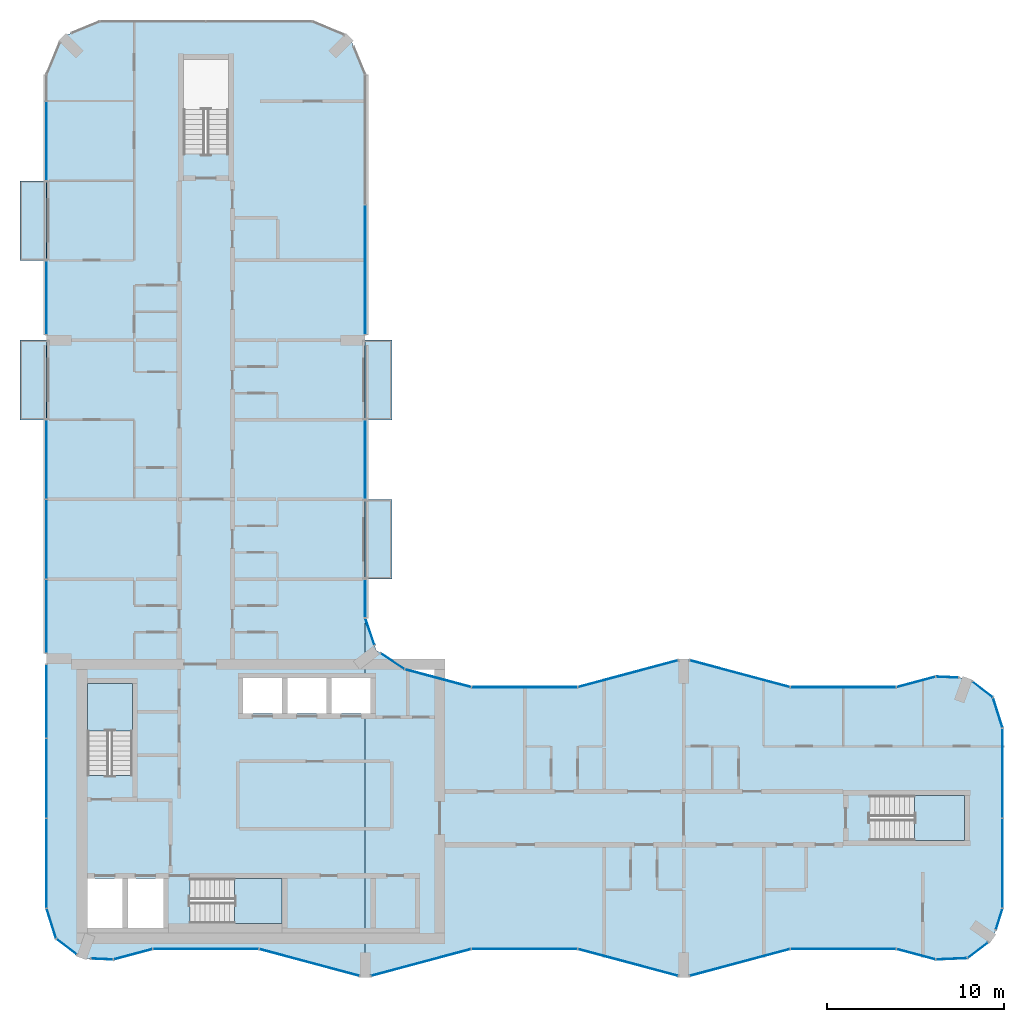
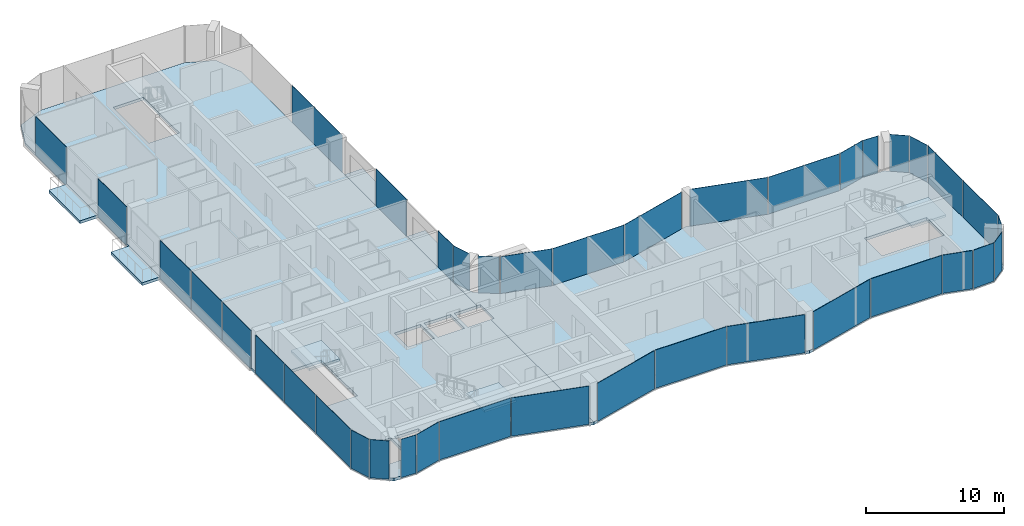
# One storey, part 8 of 15: 39 plates, 9 slabs, 37 elements without a shape of their own.
"""IFC4 building model written with IfcOpenShell, lengths in metres."""

from ifc_helpers import new_model, si_unit, direction, frame, origin, origin_2d, place, context, subcontext, project, spatial, polyline, rectangle, outline, extrude, material, layer, layer_set, type_object, element, aggregate, save


model = new_model("IFC4")

# Units and contexts
model_context = context("Model", 3, precision=1e-05, world=origin(), true_north=direction((0.0, 1.0)))
body_context = subcontext(model_context, "Body", "Model", "MODEL_VIEW")
ifc_project = project(units=[si_unit("LENGTHUNIT", "METRE"), si_unit("AREAUNIT", "SQUARE_METRE"), si_unit("VOLUMEUNIT", "CUBIC_METRE"), si_unit("PLANEANGLEUNIT", "RADIAN"), si_unit("MASSUNIT", "GRAM", prefix="KILO")], contexts=[model_context])

# Site, building, storey
site_placement = place(None, origin())
site = spatial("IfcSite", under=ifc_project, at=site_placement, CompositionType="ELEMENT")
building_placement = place(site_placement, origin())
building = spatial("IfcBuilding", under=site, at=building_placement, Name="Plateau Cross Towers", CompositionType="ELEMENT")
storey_placement = place(building_placement, frame((0.0, 0.0, 174.39990234375)))
storey = spatial("IfcBuildingStorey", under=building, at=storey_placement, Name="L45", CompositionType="ELEMENT", Elevation=174.39990234375)

# Slabs
ifc_material_1 = material(Name="Concrete C40/50", Category="concrete")
ifc_layer_1 = layer(ifc_material_1, 0.25)
ifc_layer_set_1 = layer_set([ifc_layer_1], Name="Concrete C40/50")
slab_type_1 = type_object("IfcSlabType", Name="Balcony slab 250", PredefinedType="FLOOR", material=ifc_layer_set_1)
slab_1_placement = place(storey_placement, frame((0.0, 0.0, -0.25)))
element("IfcSlab", 1, at=slab_1_placement, inside=storey, type_object=slab_type_1, Name="Balcony slab A-BAL-L45-01", PredefinedType="FLOOR", context=body_context, shape_type="SweptSolid", body=[
    extrude(outline(polyline([(0.0, 31.5), (0.0, 36.0), (-1.5, 36.0), (-1.5, 31.5), (0.0, 31.5)])), origin(), (0.0, 0.0, 1.0), 0.25),
])
slab_2_placement = place(storey_placement, frame((0.0, 0.0, -0.25)))
element("IfcSlab", 2, at=slab_2_placement, inside=storey, type_object=slab_type_1, Name="Balcony slab A-BAL-L45-02", PredefinedType="FLOOR", context=body_context, shape_type="SweptSolid", body=[
    extrude(outline(polyline([(0.0, 40.5), (0.0, 45.0), (-1.5, 45.0), (-1.5, 40.5), (0.0, 40.5)])), origin(), (0.0, 0.0, 1.0), 0.25),
])
slab_3_placement = place(storey_placement, frame((0.0, 0.0, -0.25)))
element("IfcSlab", 3, at=slab_3_placement, inside=storey, type_object=slab_type_1, Name="Balcony slab A-BAL-L45-03", PredefinedType="FLOOR", context=body_context, shape_type="SweptSolid", body=[
    extrude(outline(polyline([(19.5, 22.5), (19.5, 27.0), (18.0, 27.0), (18.0, 22.5), (19.5, 22.5)])), origin(), (0.0, 0.0, 1.0), 0.25),
])
slab_4_placement = place(storey_placement, frame((0.0, 0.0, -0.25)))
element("IfcSlab", 4, at=slab_4_placement, inside=storey, type_object=slab_type_1, Name="Balcony slab A-BAL-L45-04", PredefinedType="FLOOR", context=body_context, shape_type="SweptSolid", body=[
    extrude(outline(polyline([(19.5, 31.5), (19.5, 36.0), (18.0, 36.0), (18.0, 31.5), (19.5, 31.5)])), origin(), (0.0, 0.0, 1.0), 0.25),
])

# Curtain wall, plate
ifc_material_2 = material(Name="Dark low-iron glass", Category="glass")
ifc_layer_2 = layer(ifc_material_2, 0.239990234375)
ifc_layer_set_2 = layer_set([ifc_layer_2], Name="Dark low-iron glass")
curtain_wall_type_1 = type_object("IfcCurtainWallType", Name="Curtain wall flush unitised CW-B", PredefinedType="NOTDEFINED", material=ifc_layer_set_2)
curtain_wall_1_placement = place(storey_placement, origin())
curtain_wall_1 = element("IfcCurtainWall", 5, at=curtain_wall_1_placement, inside=storey, type_object=curtain_wall_type_1, Name="ENV/A/L45/A502_10", PredefinedType="NOTDEFINED")
ifc_layer_3 = layer(ifc_material_2, 0.031982421875)
ifc_layer_set_3 = layer_set([ifc_layer_3], Name="Dark low-iron glass")
plate_type_1 = type_object("IfcPlateType", Name="Glass panel 32 flush unitised", PredefinedType="CURTAIN_PANEL", material=ifc_layer_set_3)
plate_1_placement = place(storey_placement, frame((51.125, 1.05078125, -0.1298828125), z_axis=(0.0, 0.0, 1.0), x_axis=(0.999043701491, 0.043722791671, 0.0)))
plate_1 = element("IfcPlate", 6, at=plate_1_placement, type_object=plate_type_1, Name="CW-B panel 1", PredefinedType="CURTAIN_PANEL", context=body_context, shape_type="SweptSolid", body=[
    extrude(rectangle(XDim=1.744140625, YDim=0.031982421875, at=origin_2d()), origin(), (0.0, 0.0, 1.0), 3.3798828125),
])
aggregate(curtain_wall_1, [plate_1])

curtain_wall_2_placement = place(storey_placement, origin())
curtain_wall_2 = element("IfcCurtainWall", 7, at=curtain_wall_2_placement, inside=storey, type_object=curtain_wall_type_1, Name="ENV/A/L45/A520_11", PredefinedType="NOTDEFINED")
plate_2_placement = place(storey_placement, frame((52.60986328125, 1.5380859375, -0.1298828125), z_axis=(0.0, 0.0, 1.0), x_axis=(0.793315514529, 0.608810721331, 0.0)))
plate_2 = element("IfcPlate", 8, at=plate_2_placement, type_object=plate_type_1, Name="CW-B panel 1", PredefinedType="CURTAIN_PANEL", context=body_context, shape_type="SweptSolid", body=[
    extrude(rectangle(XDim=1.41162109375, YDim=0.031982421875, at=origin_2d()), origin(), (0.0, 0.0, 1.0), 3.3798828125),
])
aggregate(curtain_wall_2, [plate_2])

curtain_wall_3_placement = place(storey_placement, origin())
curtain_wall_3 = element("IfcCurtainWall", 9, at=curtain_wall_3_placement, inside=storey, type_object=curtain_wall_type_1, Name="ENV/A/L45/A536_27", PredefinedType="NOTDEFINED")
plate_3_placement = place(storey_placement, frame((53.805419921875, 3.292236328125, -0.1298828125), z_axis=(0.0, 0.0, 1.0), x_axis=(0.300686174994, 0.95372313811, 0.0)))
plate_3 = element("IfcPlate", 10, at=plate_3_placement, type_object=plate_type_1, Name="CW-B panel 1", PredefinedType="CURTAIN_PANEL", context=body_context, shape_type="SweptSolid", body=[
    extrude(rectangle(XDim=1.233642578125, YDim=0.031982421875, at=origin_2d()), origin(), (0.0, 0.0, 1.0), 3.3798828125),
])
aggregate(curtain_wall_3, [plate_3])

# Curtain wall, plates
curtain_wall_4_placement = place(storey_placement, origin())
curtain_wall_4 = element("IfcCurtainWall", 11, at=curtain_wall_4_placement, inside=storey, type_object=curtain_wall_type_1, Name="ENV/A/L45/A540_39", PredefinedType="NOTDEFINED")
plate_4_placement = place(storey_placement, frame((54.0, 6.45458984375, -0.1298828125), z_axis=(0.0, 0.0, 1.0), x_axis=(0.0, 1.0, 0.0)))
plate_4 = element("IfcPlate", 12, at=plate_4_placement, type_object=plate_type_1, Name="CW-B panel 1", PredefinedType="CURTAIN_PANEL", context=body_context, shape_type="SweptSolid", body=[
    extrude(rectangle(XDim=5.03076171875, YDim=0.031982421875, at=origin_2d()), origin(), (0.0, 0.0, 1.0), 3.3798828125),
])
plate_5_placement = place(storey_placement, frame((54.0, 11.54541015625, -0.1298828125), z_axis=(0.0, 0.0, 1.0), x_axis=(0.0, 1.0, 0.0)))
plate_5 = element("IfcPlate", 13, at=plate_5_placement, type_object=plate_type_1, Name="CW-B panel 2", PredefinedType="CURTAIN_PANEL", context=body_context, shape_type="SweptSolid", body=[
    extrude(rectangle(XDim=5.03076171875, YDim=0.031982421875, at=origin_2d()), origin(), (0.0, 0.0, 1.0), 3.3798828125),
])
aggregate(curtain_wall_4, [plate_4, plate_5])

# Curtain wall, plate
curtain_wall_5_placement = place(storey_placement, origin())
curtain_wall_5 = element("IfcCurtainWall", 14, at=curtain_wall_5_placement, inside=storey, type_object=curtain_wall_type_1, Name="ENV/A/L45/A540_141", PredefinedType="NOTDEFINED")
plate_6_placement = place(storey_placement, frame((53.728759765625, 14.951171875, -0.1298828125), z_axis=(0.0, 0.0, 1.0), x_axis=(-0.300686174994, 0.95372313811, 0.0)))
plate_6 = element("IfcPlate", 15, at=plate_6_placement, type_object=plate_type_1, Name="CW-B panel 1", PredefinedType="CURTAIN_PANEL", context=body_context, shape_type="SweptSolid", body=[
    extrude(rectangle(XDim=1.744140625, YDim=0.031982421875, at=origin_2d()), origin(), (0.0, 0.0, 1.0), 3.3798828125),
])
aggregate(curtain_wall_5, [plate_6])

curtain_wall_6_placement = place(storey_placement, origin())
curtain_wall_6 = element("IfcCurtainWall", 16, at=curtain_wall_6_placement, inside=storey, type_object=curtain_wall_type_1, Name="ENV/A/L45/A535_158", PredefinedType="NOTDEFINED")
plate_7_placement = place(storey_placement, frame((52.873779296875, 16.25927734375, -0.1298828125), z_axis=(0.0, 0.0, 1.0), x_axis=(-0.793315514529, 0.608810721331, 0.0)))
plate_7 = element("IfcPlate", 17, at=plate_7_placement, type_object=plate_type_1, Name="CW-B panel 1", PredefinedType="CURTAIN_PANEL", context=body_context, shape_type="SweptSolid", body=[
    extrude(rectangle(XDim=1.41162109375, YDim=0.031982421875, at=origin_2d()), origin(), (0.0, 0.0, 1.0), 3.3798828125),
])
aggregate(curtain_wall_6, [plate_7])

curtain_wall_7_placement = place(storey_placement, origin())
curtain_wall_7 = element("IfcCurtainWall", 18, at=curtain_wall_7_placement, inside=storey, type_object=curtain_wall_type_1, Name="ENV/A/L45/A515_169", PredefinedType="NOTDEFINED")
plate_8_placement = place(storey_placement, frame((50.8701171875, 16.96044921875, -0.1298828125), z_axis=(0.0, 0.0, 1.0), x_axis=(-0.999043701491, 0.043722791671, 0.0)))
plate_8 = element("IfcPlate", 19, at=plate_8_placement, type_object=plate_type_1, Name="CW-B panel 1", PredefinedType="CURTAIN_PANEL", context=body_context, shape_type="SweptSolid", body=[
    extrude(rectangle(XDim=1.233642578125, YDim=0.031982421875, at=origin_2d()), origin(), (0.0, 0.0, 1.0), 3.3798828125),
])
aggregate(curtain_wall_7, [plate_8])

curtain_wall_8_placement = place(storey_placement, origin())
curtain_wall_8 = element("IfcCurtainWall", 20, at=curtain_wall_8_placement, inside=storey, type_object=curtain_wall_type_1, Name="ENV/A/L45/A202_174", PredefinedType="NOTDEFINED")
plate_9_placement = place(storey_placement, frame((19.546630859375, 17.856689453125, -0.1298828125), z_axis=(0.0, 0.0, 1.0), x_axis=(-0.831521253329, 0.555492938984, 0.0)))
plate_9 = element("IfcPlate", 21, at=plate_9_placement, type_object=plate_type_1, Name="CW-B panel 1", PredefinedType="CURTAIN_PANEL", context=body_context, shape_type="SweptSolid", body=[
    extrude(rectangle(XDim=1.56884765625, YDim=0.031982421875, at=origin_2d()), origin(), (0.0, 0.0, 1.0), 3.3798828125),
])
aggregate(curtain_wall_8, [plate_9])

curtain_wall_9_placement = place(storey_placement, origin())
curtain_wall_9 = element("IfcCurtainWall", 22, at=curtain_wall_9_placement, inside=storey, type_object=curtain_wall_type_1, Name="ENV/A/L45/A185_188", PredefinedType="NOTDEFINED")
plate_10_placement = place(storey_placement, frame((18.26171875, 19.531005859375, -0.1298828125), z_axis=(0.0, 0.0, 1.0), x_axis=(-0.321469161574, 0.94692004845, 0.0)))
plate_10 = element("IfcPlate", 23, at=plate_10_placement, type_object=plate_type_1, Name="CW-B panel 1", PredefinedType="CURTAIN_PANEL", context=body_context, shape_type="SweptSolid", body=[
    extrude(rectangle(XDim=1.56884765625, YDim=0.031982421875, at=origin_2d()), origin(), (0.0, 0.0, 1.0), 3.3798828125),
])
aggregate(curtain_wall_9, [plate_10])

curtain_wall_10_placement = place(storey_placement, origin())
curtain_wall_10 = element("IfcCurtainWall", 24, at=curtain_wall_10_placement, inside=storey, type_object=curtain_wall_type_1, Name="ENV/A/L45/A180_203", PredefinedType="NOTDEFINED")
plate_11_placement = place(storey_placement, frame((18.0, 21.396240234375, -0.1298828125), z_axis=(0.0, 0.0, 1.0), x_axis=(0.0, 1.0, 0.0)))
plate_11 = element("IfcPlate", 25, at=plate_11_placement, type_object=plate_type_1, Name="CW-B panel 1", PredefinedType="CURTAIN_PANEL", context=body_context, shape_type="SweptSolid", body=[
    extrude(rectangle(XDim=2.127685546875, YDim=0.031982421875, at=origin_2d()), origin(), (0.0, 0.0, 1.0), 3.3798828125),
])
aggregate(curtain_wall_10, [plate_11])

curtain_wall_11_placement = place(storey_placement, origin())
curtain_wall_11 = element("IfcCurtainWall", 26, at=curtain_wall_11_placement, inside=storey, type_object=curtain_wall_type_1, Name="ENV/A/L45/A180_270", PredefinedType="NOTDEFINED")
plate_12_placement = place(storey_placement, frame((18.0, 29.25, -0.1298828125), z_axis=(0.0, 0.0, 1.0), x_axis=(0.0, 1.0, 0.0)))
plate_12 = element("IfcPlate", 27, at=plate_12_placement, type_object=plate_type_1, Name="CW-B panel 1", PredefinedType="CURTAIN_PANEL", context=body_context, shape_type="SweptSolid", body=[
    extrude(rectangle(XDim=4.419921875, YDim=0.031982421875, at=origin_2d()), origin(), (0.0, 0.0, 1.0), 3.3798828125),
])
aggregate(curtain_wall_11, [plate_12])

curtain_wall_12_placement = place(storey_placement, origin())
curtain_wall_12 = element("IfcCurtainWall", 28, at=curtain_wall_12_placement, inside=storey, type_object=curtain_wall_type_1, Name="ENV/A/L45/A180_363", PredefinedType="NOTDEFINED")
plate_13_placement = place(storey_placement, frame((18.0, 39.97509765625, -0.1298828125), z_axis=(0.0, 0.0, 1.0), x_axis=(0.0, 1.0, 0.0)))
plate_13 = element("IfcPlate", 29, at=plate_13_placement, type_object=plate_type_1, Name="CW-B panel 1", PredefinedType="CURTAIN_PANEL", context=body_context, shape_type="SweptSolid", body=[
    extrude(rectangle(XDim=7.2900390625, YDim=0.031982421875, at=origin_2d()), origin(), (0.0, 0.0, 1.0), 3.3798828125),
])
aggregate(curtain_wall_12, [plate_13])

curtain_wall_13_placement = place(storey_placement, origin())
curtain_wall_13 = element("IfcCurtainWall", 30, at=curtain_wall_13_placement, inside=storey, type_object=curtain_wall_type_1, Name="ENV/A/L45/A0_510", PredefinedType="NOTDEFINED")
plate_14_placement = place(storey_placement, frame((0.0, 47.2548828125, -0.1298828125), z_axis=(0.0, 0.0, 1.0), x_axis=(0.0, -1.0, 0.0)))
plate_14 = element("IfcPlate", 31, at=plate_14_placement, type_object=plate_type_1, Name="CW-B panel 2", PredefinedType="CURTAIN_PANEL", context=body_context, shape_type="SweptSolid", body=[
    extrude(rectangle(XDim=4.429931640625, YDim=0.031982421875, at=origin_2d()), origin(), (0.0, 0.0, 1.0), 3.3798828125),
])
aggregate(curtain_wall_13, [plate_14])

curtain_wall_14_placement = place(storey_placement, origin())
curtain_wall_14 = element("IfcCurtainWall", 32, at=curtain_wall_14_placement, inside=storey, type_object=curtain_wall_type_1, Name="ENV/A/L45/A0_405", PredefinedType="NOTDEFINED")
plate_15_placement = place(storey_placement, frame((0.0, 38.39501953125, -0.1298828125), z_axis=(0.0, 0.0, 1.0), x_axis=(0.0, -1.0, 0.0)))
plate_15 = element("IfcPlate", 33, at=plate_15_placement, type_object=plate_type_1, Name="CW-B panel 1", PredefinedType="CURTAIN_PANEL", context=body_context, shape_type="SweptSolid", body=[
    extrude(rectangle(XDim=4.1298828125, YDim=0.031982421875, at=origin_2d()), origin(), (0.0, 0.0, 1.0), 3.3798828125),
])
aggregate(curtain_wall_14, [plate_15])

# Curtain wall, plates
curtain_wall_15_placement = place(storey_placement, origin())
curtain_wall_15 = element("IfcCurtainWall", 34, at=curtain_wall_15_placement, inside=storey, type_object=curtain_wall_type_1, Name="ENV/A/L45/A0_315", PredefinedType="NOTDEFINED")
plate_16_placement = place(storey_placement, frame((0.0, 29.2451171875, -0.1298828125), z_axis=(0.0, 0.0, 1.0), x_axis=(0.0, -1.0, 0.0)))
plate_16 = element("IfcPlate", 35, at=plate_16_placement, type_object=plate_type_1, Name="CW-B panel 1", PredefinedType="CURTAIN_PANEL", context=body_context, shape_type="SweptSolid", body=[
    extrude(rectangle(XDim=4.429931640625, YDim=0.031982421875, at=origin_2d()), origin(), (0.0, 0.0, 1.0), 3.3798828125),
])
plate_17_placement = place(storey_placement, frame((0.0, 24.75, -0.1298828125), z_axis=(0.0, 0.0, 1.0), x_axis=(0.0, -1.0, 0.0)))
plate_17 = element("IfcPlate", 36, at=plate_17_placement, type_object=plate_type_1, Name="CW-B panel 2", PredefinedType="CURTAIN_PANEL", context=body_context, shape_type="SweptSolid", body=[
    extrude(rectangle(XDim=4.43994140625, YDim=0.031982421875, at=origin_2d()), origin(), (0.0, 0.0, 1.0), 3.3798828125),
])
plate_18_placement = place(storey_placement, frame((0.0, 20.39990234375, -0.1298828125), z_axis=(0.0, 0.0, 1.0), x_axis=(0.0, -1.0, 0.0)))
plate_18 = element("IfcPlate", 37, at=plate_18_placement, type_object=plate_type_1, Name="CW-B panel 3", PredefinedType="CURTAIN_PANEL", context=body_context, shape_type="SweptSolid", body=[
    extrude(rectangle(XDim=4.139892578125, YDim=0.031982421875, at=origin_2d()), origin(), (0.0, 0.0, 1.0), 3.3798828125),
])
aggregate(curtain_wall_15, [plate_16, plate_17, plate_18])

curtain_wall_16_placement = place(storey_placement, origin())
curtain_wall_16 = element("IfcCurtainWall", 38, at=curtain_wall_16_placement, inside=storey, type_object=curtain_wall_type_1, Name="ENV/A/L45/A0_177", PredefinedType="NOTDEFINED")
plate_19_placement = place(storey_placement, frame((0.0, 15.60009765625, -0.1298828125), z_axis=(0.0, 0.0, 1.0), x_axis=(0.0, -1.0, 0.0)))
plate_19 = element("IfcPlate", 39, at=plate_19_placement, type_object=plate_type_1, Name="CW-B panel 1", PredefinedType="CURTAIN_PANEL", context=body_context, shape_type="SweptSolid", body=[
    extrude(rectangle(XDim=4.139892578125, YDim=0.031982421875, at=origin_2d()), origin(), (0.0, 0.0, 1.0), 3.3798828125),
])
plate_20_placement = place(storey_placement, frame((0.0, 11.25, -0.1298828125), z_axis=(0.0, 0.0, 1.0), x_axis=(0.0, -1.0, 0.0)))
plate_20 = element("IfcPlate", 40, at=plate_20_placement, type_object=plate_type_1, Name="CW-B panel 2", PredefinedType="CURTAIN_PANEL", context=body_context, shape_type="SweptSolid", body=[
    extrude(rectangle(XDim=4.43994140625, YDim=0.031982421875, at=origin_2d()), origin(), (0.0, 0.0, 1.0), 3.3798828125),
])
plate_21_placement = place(storey_placement, frame((0.0, 6.45458984375, -0.1298828125), z_axis=(0.0, 0.0, 1.0), x_axis=(0.0, -1.0, 0.0)))
plate_21 = element("IfcPlate", 41, at=plate_21_placement, type_object=plate_type_1, Name="CW-B panel 3", PredefinedType="CURTAIN_PANEL", context=body_context, shape_type="SweptSolid", body=[
    extrude(rectangle(XDim=5.03076171875, YDim=0.031982421875, at=origin_2d()), origin(), (0.0, 0.0, 1.0), 3.3798828125),
])
aggregate(curtain_wall_16, [plate_19, plate_20, plate_21])

# Curtain wall, plate
curtain_wall_17_placement = place(storey_placement, origin())
curtain_wall_17 = element("IfcCurtainWall", 42, at=curtain_wall_17_placement, inside=storey, type_object=curtain_wall_type_1, Name="ENV/A/L45/A0_39", PredefinedType="NOTDEFINED")
plate_22_placement = place(storey_placement, frame((0.271240234375, 3.048828125, -0.1298828125), z_axis=(0.0, 0.0, 1.0), x_axis=(0.300686174994, -0.95372313811, 0.0)))
plate_22 = element("IfcPlate", 43, at=plate_22_placement, type_object=plate_type_1, Name="CW-B panel 1", PredefinedType="CURTAIN_PANEL", context=body_context, shape_type="SweptSolid", body=[
    extrude(rectangle(XDim=1.744140625, YDim=0.031982421875, at=origin_2d()), origin(), (0.0, 0.0, 1.0), 3.3798828125),
])
aggregate(curtain_wall_17, [plate_22])

curtain_wall_18_placement = place(storey_placement, origin())
curtain_wall_18 = element("IfcCurtainWall", 44, at=curtain_wall_18_placement, inside=storey, type_object=curtain_wall_type_1, Name="ENV/A/L45/A5_22", PredefinedType="NOTDEFINED")
plate_23_placement = place(storey_placement, frame((1.126220703125, 1.74072265625, -0.1298828125), z_axis=(0.0, 0.0, 1.0), x_axis=(0.793315514529, -0.608810721331, 0.0)))
plate_23 = element("IfcPlate", 45, at=plate_23_placement, type_object=plate_type_1, Name="CW-B panel 1", PredefinedType="CURTAIN_PANEL", context=body_context, shape_type="SweptSolid", body=[
    extrude(rectangle(XDim=1.41162109375, YDim=0.031982421875, at=origin_2d()), origin(), (0.0, 0.0, 1.0), 3.3798828125),
])
aggregate(curtain_wall_18, [plate_23])

curtain_wall_19_placement = place(storey_placement, origin())
curtain_wall_19 = element("IfcCurtainWall", 46, at=curtain_wall_19_placement, inside=storey, type_object=curtain_wall_type_1, Name="ENV/A/L45/A25_11", PredefinedType="NOTDEFINED")
plate_24_placement = place(storey_placement, frame((3.1298828125, 1.03955078125, -0.1298828125), z_axis=(0.0, 0.0, 1.0), x_axis=(0.999043701491, -0.043722791671, 0.0)))
plate_24 = element("IfcPlate", 47, at=plate_24_placement, type_object=plate_type_1, Name="CW-B panel 1", PredefinedType="CURTAIN_PANEL", context=body_context, shape_type="SweptSolid", body=[
    extrude(rectangle(XDim=1.233642578125, YDim=0.031982421875, at=origin_2d()), origin(), (0.0, 0.0, 1.0), 3.3798828125),
])
aggregate(curtain_wall_19, [plate_24])

ifc_layer_4 = layer(ifc_material_2, 0.260009765625)
ifc_layer_set_4 = layer_set([ifc_layer_4], Name="Dark low-iron glass")
curtain_wall_type_2 = type_object("IfcCurtainWallType", Name="Curtain wall fluted unitised CW-A", PredefinedType="NOTDEFINED", material=ifc_layer_set_4)
curtain_wall_20_placement = place(storey_placement, origin())
curtain_wall_20 = element("IfcCurtainWall", 48, at=curtain_wall_20_placement, inside=storey, type_object=curtain_wall_type_2, Name="ENV/A/L45/A38_10", PredefinedType="NOTDEFINED")
ifc_layer_5 = layer(ifc_material_2, 0.035888671875)
ifc_layer_set_5 = layer_set([ifc_layer_5], Name="Dark low-iron glass")
plate_type_2 = type_object("IfcPlateType", Name="Glass panel 36 fluted unitised", PredefinedType="CURTAIN_PANEL", material=ifc_layer_set_5)
plate_25_placement = place(storey_placement, frame((4.887939453125, 1.30908203125, -0.1298828125), z_axis=(0.0, 0.0, 1.0), x_axis=(0.965957962328, 0.258699081978, 0.0)))
plate_25 = element("IfcPlate", 49, at=plate_25_placement, type_object=plate_type_2, Name="CW-A panel 1", PredefinedType="CURTAIN_PANEL", context=body_context, shape_type="SweptSolid", body=[
    extrude(rectangle(XDim=2.2421875, YDim=0.035888671875, at=origin_2d()), origin(), (0.0, 0.0, 1.0), 3.3798828125),
])
aggregate(curtain_wall_20, [plate_25])

curtain_wall_21_placement = place(storey_placement, origin())
curtain_wall_21 = element("IfcCurtainWall", 50, at=curtain_wall_21_placement, inside=storey, type_object=curtain_wall_type_2, Name="ENV/A/L45/A60_16", PredefinedType="NOTDEFINED")
plate_26_placement = place(storey_placement, frame((9.0, 1.60693359375, -0.1298828125), z_axis=(0.0, 0.0, 1.0), x_axis=(1.0, 0.0, 0.0)))
plate_26 = element("IfcPlate", 51, at=plate_26_placement, type_object=plate_type_2, Name="CW-A panel 1", PredefinedType="CURTAIN_PANEL", context=body_context, shape_type="SweptSolid", body=[
    extrude(rectangle(XDim=5.93994140625, YDim=0.035888671875, at=origin_2d()), origin(), (0.0, 0.0, 1.0), 3.3798828125),
])
aggregate(curtain_wall_21, [plate_26])

curtain_wall_22_placement = place(storey_placement, origin())
curtain_wall_22 = element("IfcCurtainWall", 52, at=curtain_wall_22_placement, inside=storey, type_object=curtain_wall_type_2, Name="ENV/A/L45/A120_16", PredefinedType="NOTDEFINED")
plate_27_placement = place(storey_placement, frame((14.841064453125, 0.845947265625, -0.1298828125), z_axis=(0.0, 0.0, 1.0), x_axis=(0.965957983404, -0.258699003279, 0.0)))
plate_27 = element("IfcPlate", 53, at=plate_27_placement, type_object=plate_type_2, Name="CW-A panel 1", PredefinedType="CURTAIN_PANEL", context=body_context, shape_type="SweptSolid", body=[
    extrude(rectangle(XDim=5.822265625, YDim=0.035888671875, at=origin_2d()), origin(), (0.0, 0.0, 1.0), 3.3798828125),
])
aggregate(curtain_wall_22, [plate_27])

curtain_wall_23_placement = place(storey_placement, origin())
curtain_wall_23 = element("IfcCurtainWall", 54, at=curtain_wall_23_placement, inside=storey, type_object=curtain_wall_type_2, Name="ENV/A/L45/A183_1", PredefinedType="NOTDEFINED")
plate_28_placement = place(storey_placement, frame((21.158935546875, 0.845947265625, -0.1298828125), z_axis=(0.0, 0.0, 1.0), x_axis=(0.965957983404, 0.258699003279, 0.0)))
plate_28 = element("IfcPlate", 55, at=plate_28_placement, type_object=plate_type_2, Name="CW-A panel 1", PredefinedType="CURTAIN_PANEL", context=body_context, shape_type="SweptSolid", body=[
    extrude(rectangle(XDim=5.822265625, YDim=0.035888671875, at=origin_2d()), origin(), (0.0, 0.0, 1.0), 3.3798828125),
])
aggregate(curtain_wall_23, [plate_28])

curtain_wall_24_placement = place(storey_placement, origin())
curtain_wall_24 = element("IfcCurtainWall", 56, at=curtain_wall_24_placement, inside=storey, type_object=curtain_wall_type_2, Name="ENV/A/L45/A240_16", PredefinedType="NOTDEFINED")
plate_29_placement = place(storey_placement, frame((27.0, 1.60693359375, -0.1298828125), z_axis=(0.0, 0.0, 1.0), x_axis=(1.0, 0.0, 0.0)))
plate_29 = element("IfcPlate", 57, at=plate_29_placement, type_object=plate_type_2, Name="CW-A panel 1", PredefinedType="CURTAIN_PANEL", context=body_context, shape_type="SweptSolid", body=[
    extrude(rectangle(XDim=5.93994140625, YDim=0.035888671875, at=origin_2d()), origin(), (0.0, 0.0, 1.0), 3.3798828125),
])
aggregate(curtain_wall_24, [plate_29])

curtain_wall_25_placement = place(storey_placement, origin())
curtain_wall_25 = element("IfcCurtainWall", 58, at=curtain_wall_25_placement, inside=storey, type_object=curtain_wall_type_2, Name="ENV/A/L45/A300_16", PredefinedType="NOTDEFINED")
plate_30_placement = place(storey_placement, frame((32.841064453125, 0.845947265625, -0.1298828125), z_axis=(0.0, 0.0, 1.0), x_axis=(0.965957983404, -0.258699003279, 0.0)))
plate_30 = element("IfcPlate", 59, at=plate_30_placement, type_object=plate_type_2, Name="CW-A panel 1", PredefinedType="CURTAIN_PANEL", context=body_context, shape_type="SweptSolid", body=[
    extrude(rectangle(XDim=5.822265625, YDim=0.035888671875, at=origin_2d()), origin(), (0.0, 0.0, 1.0), 3.3798828125),
])
aggregate(curtain_wall_25, [plate_30])

curtain_wall_26_placement = place(storey_placement, origin())
curtain_wall_26 = element("IfcCurtainWall", 60, at=curtain_wall_26_placement, inside=storey, type_object=curtain_wall_type_2, Name="ENV/A/L45/A363_1", PredefinedType="NOTDEFINED")
plate_31_placement = place(storey_placement, frame((39.158935546875, 0.845947265625, -0.1298828125), z_axis=(0.0, 0.0, 1.0), x_axis=(0.965957983404, 0.258699003279, 0.0)))
plate_31 = element("IfcPlate", 61, at=plate_31_placement, type_object=plate_type_2, Name="CW-A panel 1", PredefinedType="CURTAIN_PANEL", context=body_context, shape_type="SweptSolid", body=[
    extrude(rectangle(XDim=5.822265625, YDim=0.035888671875, at=origin_2d()), origin(), (0.0, 0.0, 1.0), 3.3798828125),
])
aggregate(curtain_wall_26, [plate_31])

curtain_wall_27_placement = place(storey_placement, origin())
curtain_wall_27 = element("IfcCurtainWall", 62, at=curtain_wall_27_placement, inside=storey, type_object=curtain_wall_type_2, Name="ENV/A/L45/A420_16", PredefinedType="NOTDEFINED")
plate_32_placement = place(storey_placement, frame((45.0, 1.60693359375, -0.1298828125), z_axis=(0.0, 0.0, 1.0), x_axis=(1.0, 0.0, 0.0)))
plate_32 = element("IfcPlate", 63, at=plate_32_placement, type_object=plate_type_2, Name="CW-A panel 1", PredefinedType="CURTAIN_PANEL", context=body_context, shape_type="SweptSolid", body=[
    extrude(rectangle(XDim=5.93994140625, YDim=0.035888671875, at=origin_2d()), origin(), (0.0, 0.0, 1.0), 3.3798828125),
])
aggregate(curtain_wall_27, [plate_32])

curtain_wall_28_placement = place(storey_placement, origin())
curtain_wall_28 = element("IfcCurtainWall", 64, at=curtain_wall_28_placement, inside=storey, type_object=curtain_wall_type_2, Name="ENV/A/L45/A480_16", PredefinedType="NOTDEFINED")
plate_33_placement = place(storey_placement, frame((49.112060546875, 1.30908203125, -0.1298828125), z_axis=(0.0, 0.0, 1.0), x_axis=(0.965957962328, -0.258699081978, 0.0)))
plate_33 = element("IfcPlate", 65, at=plate_33_placement, type_object=plate_type_2, Name="CW-A panel 1", PredefinedType="CURTAIN_PANEL", context=body_context, shape_type="SweptSolid", body=[
    extrude(rectangle(XDim=2.2421875, YDim=0.035888671875, at=origin_2d()), origin(), (0.0, 0.0, 1.0), 3.3798828125),
])
aggregate(curtain_wall_28, [plate_33])

curtain_wall_29_placement = place(storey_placement, origin())
curtain_wall_29 = element("IfcCurtainWall", 66, at=curtain_wall_29_placement, inside=storey, type_object=curtain_wall_type_2, Name="ENV/A/L45/A502_170", PredefinedType="NOTDEFINED")
plate_34_placement = place(storey_placement, frame((49.112060546875, 16.69091796875, -0.1298828125), z_axis=(0.0, 0.0, 1.0), x_axis=(-0.965957962328, -0.258699081978, 0.0)))
plate_34 = element("IfcPlate", 67, at=plate_34_placement, type_object=plate_type_2, Name="CW-A panel 1", PredefinedType="CURTAIN_PANEL", context=body_context, shape_type="SweptSolid", body=[
    extrude(rectangle(XDim=2.2421875, YDim=0.035888671875, at=origin_2d()), origin(), (0.0, 0.0, 1.0), 3.3798828125),
])
aggregate(curtain_wall_29, [plate_34])

curtain_wall_30_placement = place(storey_placement, origin())
curtain_wall_30 = element("IfcCurtainWall", 68, at=curtain_wall_30_placement, inside=storey, type_object=curtain_wall_type_2, Name="ENV/A/L45/A480_164", PredefinedType="NOTDEFINED")
plate_35_placement = place(storey_placement, frame((45.0, 16.39306640625, -0.1298828125), z_axis=(0.0, 0.0, 1.0), x_axis=(-1.0, 0.0, 0.0)))
plate_35 = element("IfcPlate", 69, at=plate_35_placement, type_object=plate_type_2, Name="CW-A panel 1", PredefinedType="CURTAIN_PANEL", context=body_context, shape_type="SweptSolid", body=[
    extrude(rectangle(XDim=5.93994140625, YDim=0.035888671875, at=origin_2d()), origin(), (0.0, 0.0, 1.0), 3.3798828125),
])
aggregate(curtain_wall_30, [plate_35])

curtain_wall_31_placement = place(storey_placement, origin())
curtain_wall_31 = element("IfcCurtainWall", 70, at=curtain_wall_31_placement, inside=storey, type_object=curtain_wall_type_2, Name="ENV/A/L45/A420_164", PredefinedType="NOTDEFINED")
plate_36_placement = place(storey_placement, frame((39.158935546875, 17.154052734375, -0.1298828125), z_axis=(0.0, 0.0, 1.0), x_axis=(-0.965957983404, 0.258699003279, 0.0)))
plate_36 = element("IfcPlate", 71, at=plate_36_placement, type_object=plate_type_2, Name="CW-A panel 1", PredefinedType="CURTAIN_PANEL", context=body_context, shape_type="SweptSolid", body=[
    extrude(rectangle(XDim=5.822265625, YDim=0.035888671875, at=origin_2d()), origin(), (0.0, 0.0, 1.0), 3.3798828125),
])
aggregate(curtain_wall_31, [plate_36])

curtain_wall_32_placement = place(storey_placement, origin())
curtain_wall_32 = element("IfcCurtainWall", 72, at=curtain_wall_32_placement, inside=storey, type_object=curtain_wall_type_2, Name="ENV/A/L45/A357_179", PredefinedType="NOTDEFINED")
plate_37_placement = place(storey_placement, frame((32.841064453125, 17.154052734375, -0.1298828125), z_axis=(0.0, 0.0, 1.0), x_axis=(-0.965957983404, -0.258699003279, 0.0)))
plate_37 = element("IfcPlate", 73, at=plate_37_placement, type_object=plate_type_2, Name="CW-A panel 1", PredefinedType="CURTAIN_PANEL", context=body_context, shape_type="SweptSolid", body=[
    extrude(rectangle(XDim=5.822265625, YDim=0.035888671875, at=origin_2d()), origin(), (0.0, 0.0, 1.0), 3.3798828125),
])
aggregate(curtain_wall_32, [plate_37])

curtain_wall_33_placement = place(storey_placement, origin())
curtain_wall_33 = element("IfcCurtainWall", 74, at=curtain_wall_33_placement, inside=storey, type_object=curtain_wall_type_2, Name="ENV/A/L45/A300_164", PredefinedType="NOTDEFINED")
plate_38_placement = place(storey_placement, frame((27.0, 16.39306640625, -0.1298828125), z_axis=(0.0, 0.0, 1.0), x_axis=(-1.0, 0.0, 0.0)))
plate_38 = element("IfcPlate", 75, at=plate_38_placement, type_object=plate_type_2, Name="CW-A panel 1", PredefinedType="CURTAIN_PANEL", context=body_context, shape_type="SweptSolid", body=[
    extrude(rectangle(XDim=5.93994140625, YDim=0.035888671875, at=origin_2d()), origin(), (0.0, 0.0, 1.0), 3.3798828125),
])
aggregate(curtain_wall_33, [plate_38])

curtain_wall_34_placement = place(storey_placement, origin())
curtain_wall_34 = element("IfcCurtainWall", 76, at=curtain_wall_34_placement, inside=storey, type_object=curtain_wall_type_2, Name="ENV/A/L45/A240_164", PredefinedType="NOTDEFINED")
plate_39_placement = place(storey_placement, frame((22.112060546875, 16.898681640625, -0.1298828125), z_axis=(0.0, 0.0, 1.0), x_axis=(-0.965957995816, 0.258698956933, 0.0)))
plate_39 = element("IfcPlate", 77, at=plate_39_placement, type_object=plate_type_2, Name="CW-A panel 1", PredefinedType="CURTAIN_PANEL", context=body_context, shape_type="SweptSolid", body=[
    extrude(rectangle(XDim=3.84912109375, YDim=0.035888671875, at=origin_2d()), origin(), (0.0, 0.0, 1.0), 3.3798828125),
])
aggregate(curtain_wall_34, [plate_39])

# Slabs
ifc_layer_6 = layer(ifc_material_1, 0.25)
ifc_layer_set_6 = layer_set([ifc_layer_6], Name="Concrete C40/50")
slab_type_2 = type_object("IfcSlabType", Name="Post-tensioned flat plate slab 250", PredefinedType="FLOOR", material=ifc_layer_set_6)
slab_5_placement = place(storey_placement, frame((0.0, 0.0, -0.25)))
element("IfcSlab", 78, at=slab_5_placement, inside=storey, type_object=slab_type_2, Name="SL-A-L45 1", PredefinedType="FLOOR", context=body_context, shape_type="SweptSolid", body=[
    extrude(outline(polyline([(0.54248046875, 2.1884765625), (0.0, 3.9091796875), (0.0, 51.0), (0.878662109375, 53.121337890625), (3.0, 54.0), (15.0, 54.0), (17.121337890625, 53.121337890625), (18.0, 51.0), (18.0, 20.30224609375), (18.0, 16.89990234375), (16.10009765625, 16.89990234375), (16.10009765625, 14.89990234375), (18.0, 14.89990234375), (18.0, 0.0), (12.0, 1.60693359375), (6.0, 1.60693359375), (3.776123046875, 1.01123046875), (1.9736328125, 1.090087890625), (0.54248046875, 2.1884765625)]), holes=[polyline([(2.300048828125, 5.60009765625), (2.300048828125, 2.800048828125), (4.300048828125, 2.800048828125), (4.300048828125, 5.60009765625), (2.300048828125, 5.60009765625)]), polyline([(4.60009765625, 5.60009765625), (4.60009765625, 2.800048828125), (6.60009765625, 2.800048828125), (6.60009765625, 5.60009765625), (4.60009765625, 5.60009765625)]), polyline([(8.10009765625, 5.60009765625), (8.10009765625, 3.050048828125), (13.300048828125, 3.050048828125), (13.300048828125, 5.60009765625), (8.10009765625, 5.60009765625)]), polyline([(2.300048828125, 11.39990234375), (4.85009765625, 11.39990234375), (4.85009765625, 16.60009765625), (2.300048828125, 16.60009765625), (2.300048828125, 11.39990234375)]), polyline([(11.10009765625, 16.89990234375), (11.10009765625, 14.89990234375), (13.300048828125, 14.89990234375), (13.300048828125, 16.89990234375), (11.10009765625, 16.89990234375)]), polyline([(13.60009765625, 16.89990234375), (13.60009765625, 14.89990234375), (15.800048828125, 14.89990234375), (15.800048828125, 16.89990234375), (13.60009765625, 16.89990234375)]), polyline([(7.72509765625, 51.699951171875), (7.72509765625, 46.5), (10.27490234375, 46.5), (10.27490234375, 51.699951171875), (7.72509765625, 51.699951171875)])]), origin(), (0.0, 0.0, 1.0), 0.25),
])
slab_6_placement = place(storey_placement, frame((0.0, 0.0, -0.25)))
element("IfcSlab", 79, at=slab_6_placement, inside=storey, type_object=slab_type_2, Name="SL-A-L45 2", PredefinedType="FLOOR", context=body_context, shape_type="SweptSolid", body=[
    extrude(outline(polyline([(18.6201171875, 18.475830078125), (20.223876953125, 17.404296875), (24.0, 16.39306640625), (30.0, 16.39306640625), (36.0, 18.0), (42.0, 16.39306640625), (48.0, 16.39306640625), (50.223876953125, 16.98876953125), (52.0263671875, 16.909912109375), (53.45751953125, 15.8115234375), (54.0, 14.0908203125), (54.0, 3.9091796875), (53.45751953125, 2.1884765625), (52.0263671875, 1.090087890625), (50.223876953125, 1.01123046875), (48.0, 1.60693359375), (42.0, 1.60693359375), (36.0, 0.0), (30.0, 1.60693359375), (24.0, 1.60693359375), (18.0, 0.0), (18.0, 14.89990234375), (18.300048828125, 14.89990234375), (18.300048828125, 16.89990234375), (18.0, 16.89990234375), (18.0, 20.30224609375), (18.6201171875, 18.475830078125)]), holes=[polyline([(46.5, 10.27490234375), (46.5, 7.72509765625), (51.699951171875, 7.72509765625), (51.699951171875, 10.27490234375), (46.5, 10.27490234375)])]), origin(), (0.0, 0.0, 1.0), 0.25),
])

# Stair, slab
stair_type = type_object("IfcStairType", Name="ST-TWR", PredefinedType="HALF_TURN_STAIR", material=ifc_material_1)
stair_1_placement = place(storey_placement, origin())
stair_1 = element("IfcStair", 80, at=stair_1_placement, inside=storey, type_object=stair_type, Name="L45 Protected Exit Stair ST-1", PredefinedType="HALF_TURN_STAIR")
ifc_layer_7 = layer(ifc_material_1, 0.199951171875)
ifc_layer_set_7 = layer_set([ifc_layer_7], Name="Concrete C40/50")
slab_type_3 = type_object("IfcSlabType", Name="SL-LANDING", PredefinedType="LANDING", material=ifc_layer_set_7)
slab_7_placement = place(storey_placement, frame((0.0, 0.0, 1.550048828125)))
slab_7 = element("IfcSlab", 81, at=slab_7_placement, type_object=slab_type_3, Name="ST-1 landing 1", PredefinedType="LANDING", context=body_context, shape_type="SweptSolid", body=[
    extrude(outline(polyline([(4.85009765625, 13.919921875), (4.85009765625, 16.60009765625), (2.300048828125, 16.60009765625), (2.300048828125, 13.919921875), (4.85009765625, 13.919921875)])), origin(), (0.0, 0.0, 1.0), 0.199951171875),
])
aggregate(stair_1, [slab_7])

stair_2_placement = place(storey_placement, origin())
stair_2 = element("IfcStair", 82, at=stair_2_placement, inside=storey, type_object=stair_type, Name="L45 Protected Exit Stair ST-2", PredefinedType="HALF_TURN_STAIR")
slab_8_placement = place(storey_placement, frame((0.0, 0.0, 1.550048828125)))
slab_8 = element("IfcSlab", 83, at=slab_8_placement, type_object=slab_type_3, Name="ST-2 landing 1", PredefinedType="LANDING", context=body_context, shape_type="SweptSolid", body=[
    extrude(outline(polyline([(10.6201171875, 3.050048828125), (13.300048828125, 3.050048828125), (13.300048828125, 5.60009765625), (10.6201171875, 5.60009765625), (10.6201171875, 3.050048828125)])), origin(), (0.0, 0.0, 1.0), 0.199951171875),
])
aggregate(stair_2, [slab_8])

stair_3_placement = place(storey_placement, origin())
stair_3 = element("IfcStair", 84, at=stair_3_placement, inside=storey, type_object=stair_type, Name="L45 Protected Exit Stair E", PredefinedType="HALF_TURN_STAIR")
slab_9_placement = place(storey_placement, frame((0.0, 0.0, 1.550048828125)))
slab_9 = element("IfcSlab", 85, at=slab_9_placement, type_object=slab_type_3, Name="ES-E landing 1", PredefinedType="LANDING", context=body_context, shape_type="SweptSolid", body=[
    extrude(outline(polyline([(49.02001953125, 7.72509765625), (51.85009765625, 7.72509765625), (51.85009765625, 10.27490234375), (49.02001953125, 10.27490234375), (49.02001953125, 7.72509765625)])), origin(), (0.0, 0.0, 1.0), 0.199951171875),
])
aggregate(stair_3, [slab_9])

save(model, "model.ifc")
